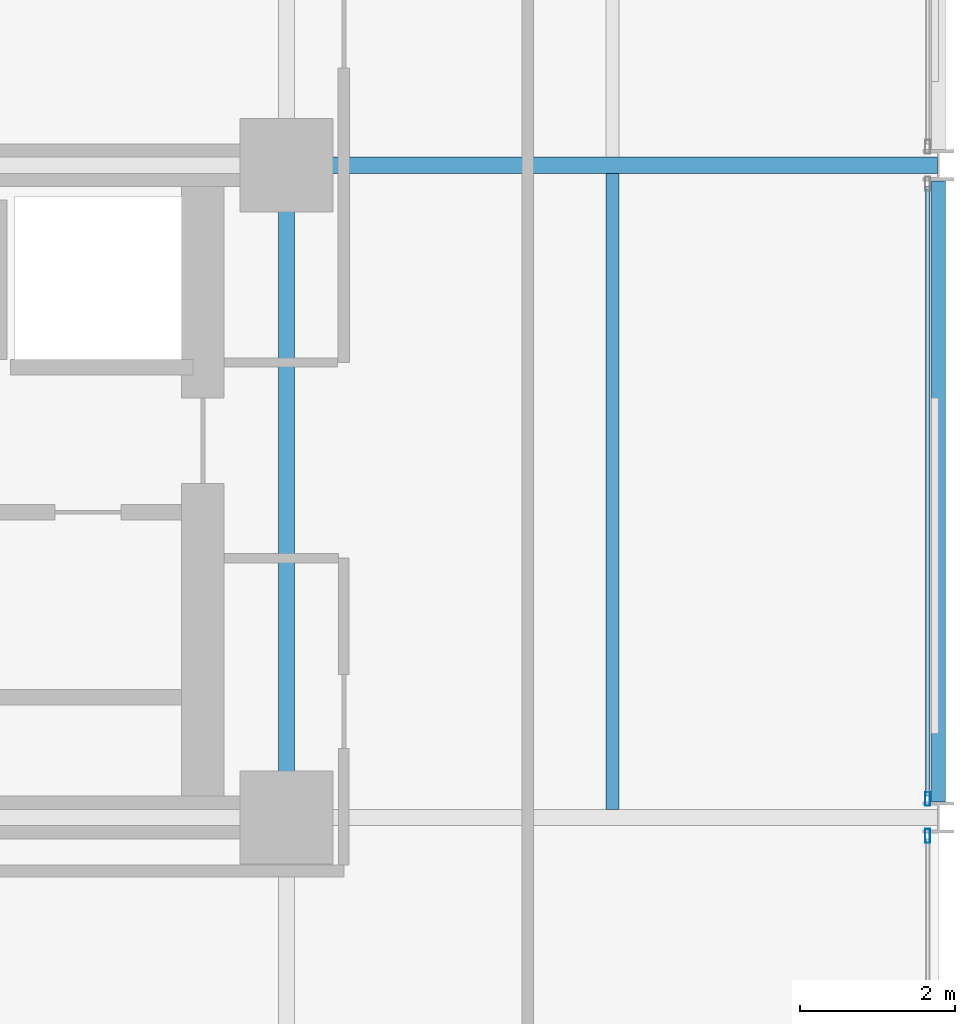
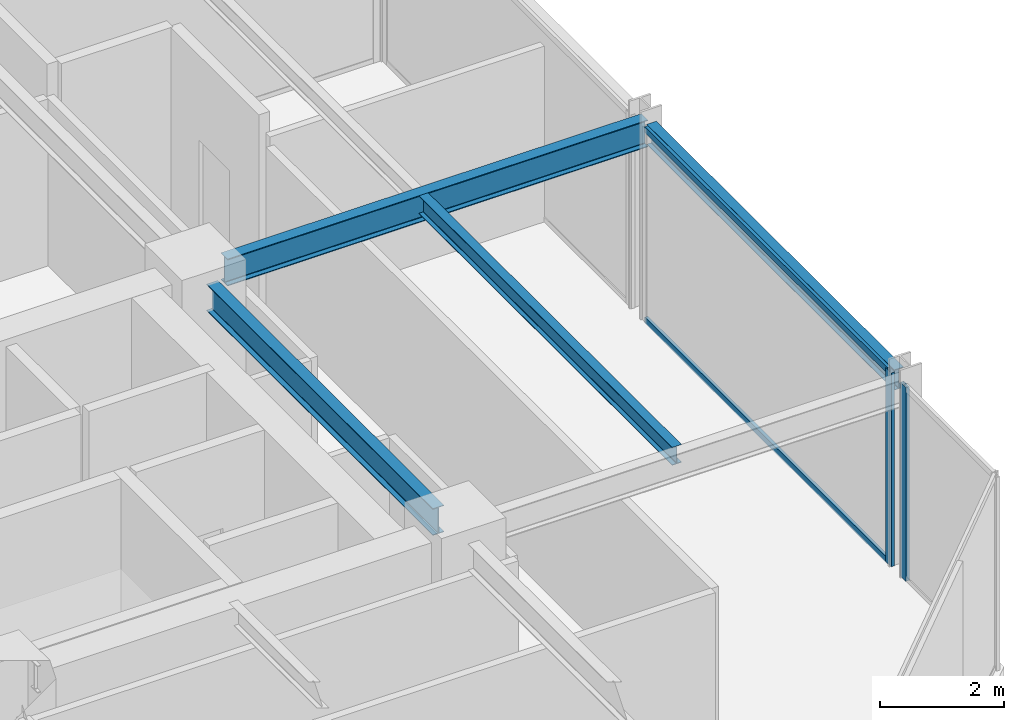
# One storey, part 14 of 29: 4 beams, 4 members, 2 elements without a shape of their own.
"""IFC4 building model written with IfcOpenShell, lengths in metres."""

from ifc_helpers import new_model, si_unit, direction, frame, origin, origin_2d, place, context, subcontext, project, spatial, hollow_rectangle, i_section, extrude, material, layer, layer_set, material_profile, profile_set, type_object, element, aggregate, save


model = new_model("IFC4")

# Units and contexts
model_context = context("Model", 3, precision=1e-05, world=origin(), true_north=direction((0.0, 1.0)))
body_context = subcontext(model_context, "Body", "Model", "MODEL_VIEW")
ifc_project = project(units=[si_unit("LENGTHUNIT", "METRE"), si_unit("AREAUNIT", "SQUARE_METRE"), si_unit("VOLUMEUNIT", "CUBIC_METRE"), si_unit("PLANEANGLEUNIT", "RADIAN"), si_unit("MASSUNIT", "GRAM", prefix="KILO")], contexts=[model_context])

# Site, building, storey
site_placement = place(None, origin())
site = spatial("IfcSite", under=ifc_project, at=site_placement, CompositionType="ELEMENT")
building_placement = place(site_placement, origin())
building = spatial("IfcBuilding", under=site, at=building_placement, Name="Nerrivon Quay Data Exchange", CompositionType="ELEMENT")
storey_placement = place(building_placement, frame((0.0, 0.0, 145.89990234375)))
storey = spatial("IfcBuildingStorey", under=building, at=storey_placement, Name="L34", CompositionType="ELEMENT", Elevation=145.89990234375)

# Beams
ifc_material_1 = material(Name="Steel Grade 350", Category="steel")
ifc_material_profile_1 = material_profile(ifc_material_1, i_section(OverallWidth=0.208984375, OverallDepth=0.532958984375, WebThickness=0.01025390625, FlangeThickness=0.015625, FilletRadius=0.013916015625, at=origin_2d()), Name="530UB92.4")
ifc_profile_set_1 = profile_set([ifc_material_profile_1], Name="Steel Grade 350")
beam_type_1 = type_object("IfcBeamType", Name="BM-G3-530UB92", PredefinedType="BEAM", material=ifc_profile_set_1)
beam_1_placement = place(storey_placement, frame((34.139892578125, 16.800048828125, 3.55859375), z_axis=(1.0, 0.0, 0.0), x_axis=(0.0, 1.0, 0.0)))
element("IfcBeam", 1, at=beam_1_placement, inside=storey, type_object=beam_type_1, Name="L34 EW Girder Y=16.8 (33.6..42.0)", PredefinedType="BEAM", context=body_context, shape_type="SweptSolid", body=[
    extrude(i_section(OverallWidth=0.208984375, OverallDepth=0.532958984375, WebThickness=0.01025390625, FlangeThickness=0.015625, FilletRadius=0.013916015625, at=origin_2d()), origin(), (0.0, 0.0, 1.0), 7.84765625),
])
ifc_material_profile_2 = material_profile(ifc_material_1, i_section(OverallWidth=0.208984375, OverallDepth=0.528076171875, WebThickness=0.009521484375, FlangeThickness=0.01318359375, FilletRadius=0.013916015625, at=origin_2d()), Name="530UB82.0")
ifc_profile_set_2 = profile_set([ifc_material_profile_2], Name="Steel Grade 350")
beam_type_2 = type_object("IfcBeamType", Name="BM-G4-530UB82", PredefinedType="BEAM", material=ifc_profile_set_2)
beam_2_placement = place(storey_placement, frame((33.60009765625, 8.93994140625, 3.56103515625), z_axis=(0.0, 1.0, 0.0), x_axis=(-1.0, 0.0, 0.0)))
element("IfcBeam", 2, at=beam_2_placement, inside=storey, type_object=beam_type_2, Name="L34 NS Girder X=33.6 (8.4..16.8)", PredefinedType="BEAM", context=body_context, shape_type="SweptSolid", body=[
    extrude(i_section(OverallWidth=0.208984375, OverallDepth=0.528076171875, WebThickness=0.009521484375, FlangeThickness=0.01318359375, FilletRadius=0.013916015625, at=origin_2d()), origin(), (0.0, 0.0, 1.0), 7.320068359375),
])
ifc_material_profile_3 = material_profile(ifc_material_1, i_section(OverallWidth=0.1708984375, OverallDepth=0.35595703125, WebThickness=0.00732421875, FlangeThickness=0.011474609375, FilletRadius=0.011474609375, at=origin_2d()), Name="360UB50.7")
ifc_profile_set_3 = profile_set([ifc_material_profile_3], Name="Steel Grade 350")
beam_type_3 = type_object("IfcBeamType", Name="BM-J4-360UB51", PredefinedType="JOIST", material=ifc_profile_set_3)
beam_3_placement = place(storey_placement, frame((37.800048828125, 8.50439453125, 3.647216796875), z_axis=(0.0, 1.0, 0.0), x_axis=(-1.0, 0.0, 0.0)))
element("IfcBeam", 3, at=beam_3_placement, inside=storey, type_object=beam_type_3, Name="L34 Secondary Joist X=37.8 (8.4..16.8)", PredefinedType="JOIST", context=body_context, shape_type="SweptSolid", body=[
    extrude(i_section(OverallWidth=0.1708984375, OverallDepth=0.35595703125, WebThickness=0.00732421875, FlangeThickness=0.011474609375, FilletRadius=0.011474609375, at=origin_2d()), origin(), (0.0, 0.0, 1.0), 8.191162109375),
])
ifc_material_profile_4 = material_profile(ifc_material_1, i_section(OverallWidth=0.177978515625, OverallDepth=0.403076171875, WebThickness=0.007568359375, FlangeThickness=0.010986328125, FilletRadius=0.011474609375, at=origin_2d()), Name="410UB53.7")
ifc_profile_set_4 = profile_set([ifc_material_profile_4], Name="Steel Grade 350")
beam_type_4 = type_object("IfcBeamType", Name="BM-SP2-410UB54", PredefinedType="SPANDREL", material=ifc_profile_set_4)
beam_4_placement = place(storey_placement, frame((42.0, 8.60009765625, 3.62353515625), z_axis=(0.0, 1.0, 0.0), x_axis=(-1.0, 0.0, 0.0)))
element("IfcBeam", 4, at=beam_4_placement, inside=storey, type_object=beam_type_4, Name="L34 NS Girder X=42.0 (8.4..16.8)", PredefinedType="SPANDREL", context=body_context, shape_type="SweptSolid", body=[
    extrude(i_section(OverallWidth=0.177978515625, OverallDepth=0.403076171875, WebThickness=0.007568359375, FlangeThickness=0.010986328125, FilletRadius=0.011474609375, at=origin_2d()), origin(), (0.0, 0.0, 1.0), 8.0),
])

# Curtain wall, member
ifc_material_2 = material(Name="Anodised aluminium 6063-T6", Category="aluminium")
ifc_layer = layer(ifc_material_2, 0.2099609375)
ifc_layer_set = layer_set([ifc_layer], Name="Anodised aluminium 6063-T6")
curtain_wall_type = type_object("IfcCurtainWallType", Name="CW-SYS-02", PredefinedType="NOTDEFINED", material=ifc_layer_set)
curtain_wall_1_placement = place(storey_placement, origin())
curtain_wall_1 = element("IfcCurtainWall", 5, at=curtain_wall_1_placement, inside=storey, type_object=curtain_wall_type, Name="L34 Unitised Curtain Wall 29", PredefinedType="NOTDEFINED")
ifc_material_profile_5 = material_profile(ifc_material_2, hollow_rectangle(XDim=0.06494140625, YDim=0.179931640625, WallThickness=0.00341796875, at=origin_2d()), Name="ALU-MULL-180x65")
ifc_profile_set_5 = profile_set([ifc_material_profile_5], Name="Anodised aluminium 6063-T6")
member_type_1 = type_object("IfcMemberType", Name="CWM-180x65", PredefinedType="MULLION", material=ifc_profile_set_5)
member_1_placement = place(storey_placement, frame((41.860107421875, 8.637451171875, 0.0), z_axis=(0.0, 0.0, 1.0), x_axis=(1.0, 0.0, 0.0)))
member_1 = element("IfcMember", 6, at=member_1_placement, type_object=member_type_1, Name="CW02 mullion 2", PredefinedType="MULLION", context=body_context, shape_type="SweptSolid", body=[
    extrude(hollow_rectangle(XDim=0.06494140625, YDim=0.179931640625, WallThickness=0.00341796875, at=origin_2d()), origin(), (0.0, 0.0, 1.0), 3.8251953125),
])

curtain_wall_2_placement = place(storey_placement, origin())
curtain_wall_2 = element("IfcCurtainWall", 7, at=curtain_wall_2_placement, inside=storey, type_object=curtain_wall_type, Name="L34 Unitised Curtain Wall 30", PredefinedType="NOTDEFINED")
member_2_placement = place(storey_placement, frame((41.860107421875, 8.16259765625, 0.0), z_axis=(0.0, 0.0, 1.0), x_axis=(1.0, 0.0, 0.0)))
member_2 = element("IfcMember", 8, at=member_2_placement, type_object=member_type_1, Name="CW02 mullion 1", PredefinedType="MULLION", context=body_context, shape_type="SweptSolid", body=[
    extrude(hollow_rectangle(XDim=0.06494140625, YDim=0.179931640625, WallThickness=0.00341796875, at=origin_2d()), origin(), (0.0, 0.0, 1.0), 3.8251953125),
])
aggregate(curtain_wall_2, [member_2])

# Member
ifc_material_profile_6 = material_profile(ifc_material_2, hollow_rectangle(XDim=0.06005859375, YDim=0.1201171875, WallThickness=0.003173828125, at=origin_2d()), Name="ALU-TRAN-120x60")
ifc_profile_set_6 = profile_set([ifc_material_profile_6], Name="Anodised aluminium 6063-T6")
member_type_2 = type_object("IfcMemberType", Name="CWT-120x60", PredefinedType="USERDEFINED", material=ifc_profile_set_6)
member_3_placement = place(storey_placement, frame((41.860107421875, 16.52490234375, 0.03271484375), z_axis=(0.0, -1.0, 0.0), x_axis=(1.0, 0.0, 0.0)))
member_3 = element("IfcMember", 9, at=member_3_placement, type_object=member_type_2, Name="CW02 transom 1.1", ObjectType="TRANSOM", PredefinedType="USERDEFINED", context=body_context, shape_type="SweptSolid", body=[
    extrude(hollow_rectangle(XDim=0.06005859375, YDim=0.1201171875, WallThickness=0.003173828125, at=origin_2d()), origin(), (0.0, 0.0, 1.0), 7.849853515625),
])

member_4_placement = place(storey_placement, frame((41.860107421875, 16.52490234375, 3.79248046875), z_axis=(0.0, -1.0, 0.0), x_axis=(1.0, 0.0, 0.0)))
member_4 = element("IfcMember", 10, at=member_4_placement, type_object=member_type_2, Name="CW02 transom 1.2", ObjectType="TRANSOM", PredefinedType="USERDEFINED", context=body_context, shape_type="SweptSolid", body=[
    extrude(hollow_rectangle(XDim=0.06005859375, YDim=0.1201171875, WallThickness=0.003173828125, at=origin_2d()), origin(), (0.0, 0.0, 1.0), 7.849853515625),
])

aggregate(curtain_wall_1, [member_1, member_3, member_4])

save(model, "model.ifc")
